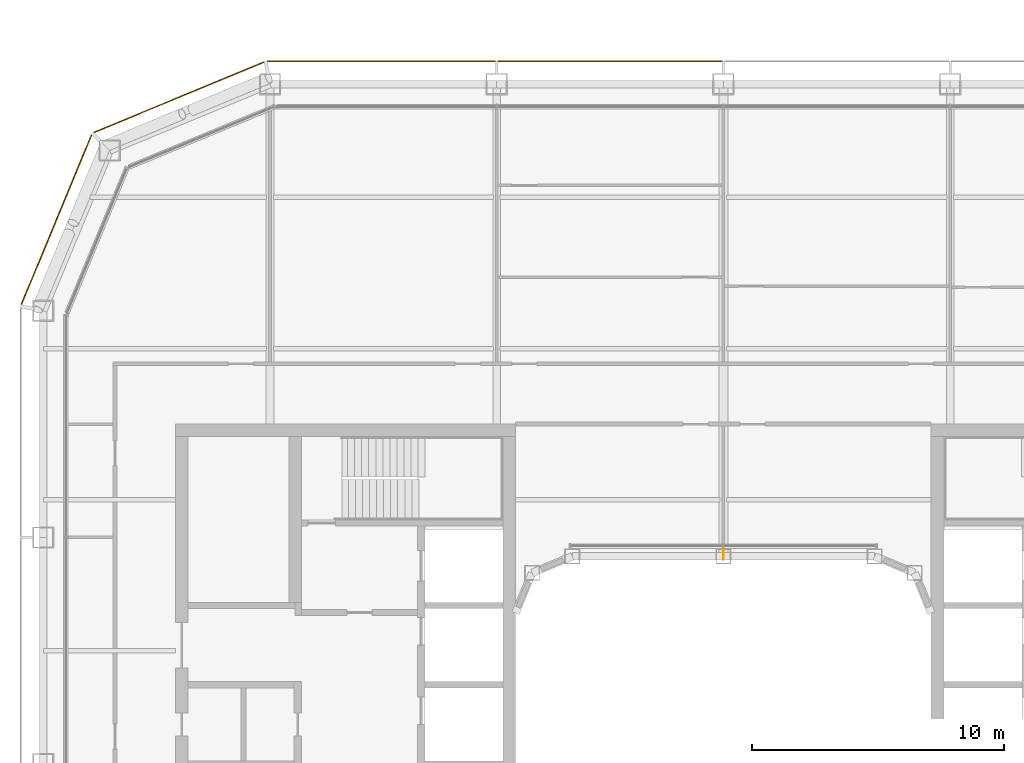
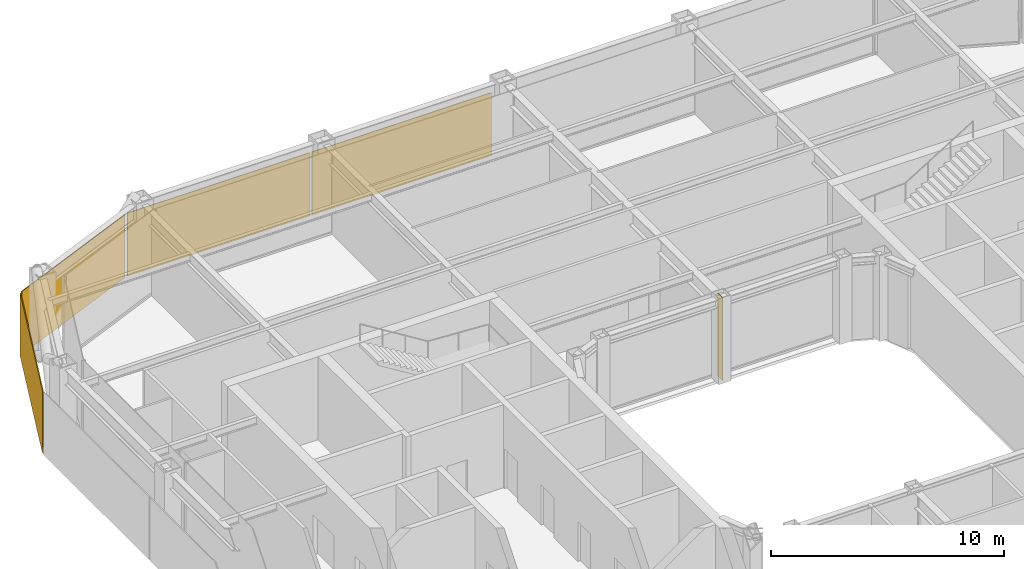
# One storey, part 21 of 23: 4 coverings, 1 shading device.
"""IFC4 building model written with IfcOpenShell, lengths in metres."""

from ifc_helpers import new_model, si_unit, direction, frame, origin, origin_2d, place, context, subcontext, project, spatial, rectangle, extrude, material, layer, layer_set, type_object, element, save


model = new_model("IFC4")

# Units and contexts
model_context = context("Model", 3, precision=1e-05, world=origin(), true_north=direction((0.0, 1.0)))
body_context = subcontext(model_context, "Body", "Model", "MODEL_VIEW")
ifc_project = project(units=[si_unit("LENGTHUNIT", "METRE"), si_unit("AREAUNIT", "SQUARE_METRE"), si_unit("VOLUMEUNIT", "CUBIC_METRE"), si_unit("PLANEANGLEUNIT", "RADIAN"), si_unit("MASSUNIT", "GRAM", prefix="KILO")], contexts=[model_context])

# Site, building, storey
site_placement = place(None, origin())
site = spatial("IfcSite", under=ifc_project, at=site_placement, CompositionType="ELEMENT")
building_placement = place(site_placement, origin())
building = spatial("IfcBuilding", under=site, at=building_placement, Name="Siwar Civic Tower", CompositionType="ELEMENT")
storey_placement = place(building_placement, frame((0.0, 0.0, 206.199951171875)))
storey = spatial("IfcBuildingStorey", under=building, at=storey_placement, Name="L44", CompositionType="ELEMENT", Elevation=206.199951171875)

# Shading device
ifc_material_1 = material(Name="Aluminium 6063-T6", Category="aluminium")
ifc_layer_1 = layer(ifc_material_1, 0.02001953125)
ifc_layer_set_1 = layer_set([ifc_layer_1], Name="Aluminium 6063-T6")
shading_device_type = type_object("IfcShadingDeviceType", Name="ENV-FIN", PredefinedType="JALOUSIE", material=ifc_layer_set_1)
shading_device_placement = place(storey_placement, frame((0.0, 8.344970703125, 0.0), z_axis=(0.0, 0.0, 1.0), x_axis=(-1.0, 0.0, 0.0)))
element("IfcShadingDevice", 1, at=shading_device_placement, inside=storey, type_object=shading_device_type, Name="SUNSHADE fin WN 1", PredefinedType="JALOUSIE", context=body_context, shape_type="SweptSolid", body=[
    extrude(rectangle(XDim=0.02001953125, YDim=0.449951171875, at=origin_2d()), origin(), (0.0, 0.0, 1.0), 4.35009765625),
])

# Coverings
ifc_material_2 = material(Name="Perforated aluminium cassette, pale metal", Category="aluminium")
ifc_layer_2 = layer(ifc_material_2, 0.0400390625)
ifc_layer_set_2 = layer_set([ifc_layer_2], Name="Perforated aluminium cassette, pale metal")
covering_type_1 = type_object("IfcCoveringType", Name="ENV-OUTER SKIN OS-1", PredefinedType="CLADDING", material=ifc_layer_set_2)
covering_1_placement = place(storey_placement, frame((-4.5, 27.89990234375, -0.14990234375), z_axis=(0.0, 0.0, 1.0), x_axis=(-1.0, 0.0, 0.0)))
element("IfcCovering", 2, at=covering_1_placement, inside=storey, type_object=covering_type_1, Name="OUTER SKIN OS-1 N 3", PredefinedType="CLADDING", context=body_context, shape_type="SweptSolid", body=[
    extrude(rectangle(XDim=8.89990234375, YDim=0.0400390625, at=origin_2d()), origin(), (0.0, 0.0, 1.0), 3.300048828125),
])
covering_2_placement = place(storey_placement, frame((-13.57958984375, 27.89990234375, -0.14990234375), z_axis=(0.0, 0.0, 1.0), x_axis=(-1.0, 0.0, 0.0)))
element("IfcCovering", 3, at=covering_2_placement, inside=storey, type_object=covering_type_1, Name="OUTER SKIN OS-1 N 4", PredefinedType="CLADDING", context=body_context, shape_type="SweptSolid", body=[
    extrude(rectangle(XDim=9.05908203125, YDim=0.0400390625, at=origin_2d()), origin(), (0.0, 0.0, 1.0), 3.300048828125),
])
covering_3_placement = place(storey_placement, frame((-21.615966796875, 26.476318359375, -0.14990234375), z_axis=(0.0, 0.0, 1.0), x_axis=(-0.923879532511, -0.382683432365, 0.0)))
element("IfcCovering", 4, at=covering_3_placement, inside=storey, type_object=covering_type_1, Name="OUTER SKIN OS-1 NW1 1", PredefinedType="CLADDING", context=body_context, shape_type="SweptSolid", body=[
    extrude(rectangle(XDim=7.300048828125, YDim=0.0400390625, at=origin_2d()), origin(), (0.0, 0.0, 1.0), 3.300048828125),
])
ifc_material_3 = material(Name="Perforated aluminium cassette, pale metal", Category="aluminium")
ifc_layer_3 = layer(ifc_material_3, 0.044921875)
ifc_layer_set_3 = layer_set([ifc_layer_3], Name="Perforated aluminium cassette, pale metal")
covering_type_2 = type_object("IfcCoveringType", Name="ENV-OUTER SKIN OS-2", PredefinedType="CLADDING", material=ifc_layer_set_3)
covering_4_placement = place(storey_placement, frame((-26.476318359375, 21.615966796875, -0.14990234375), z_axis=(0.0, 0.0, 1.0), x_axis=(-0.382683432365, -0.923879532511, 0.0)))
element("IfcCovering", 5, at=covering_4_placement, inside=storey, type_object=covering_type_2, Name="OUTER SKIN OS-2 NW2 1", PredefinedType="CLADDING", context=body_context, shape_type="SweptSolid", body=[
    extrude(rectangle(XDim=7.300048828125, YDim=0.044921875, at=origin_2d()), origin(), (0.0, 0.0, 1.0), 3.300048828125),
])

save(model, "model.ifc")
